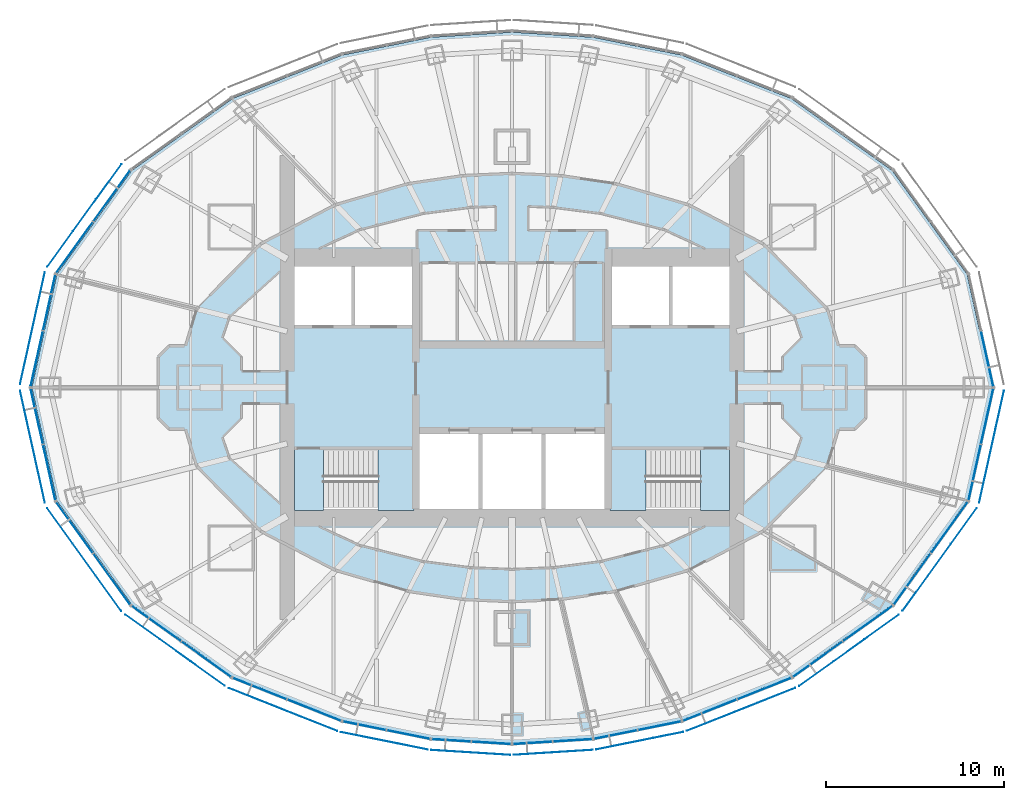
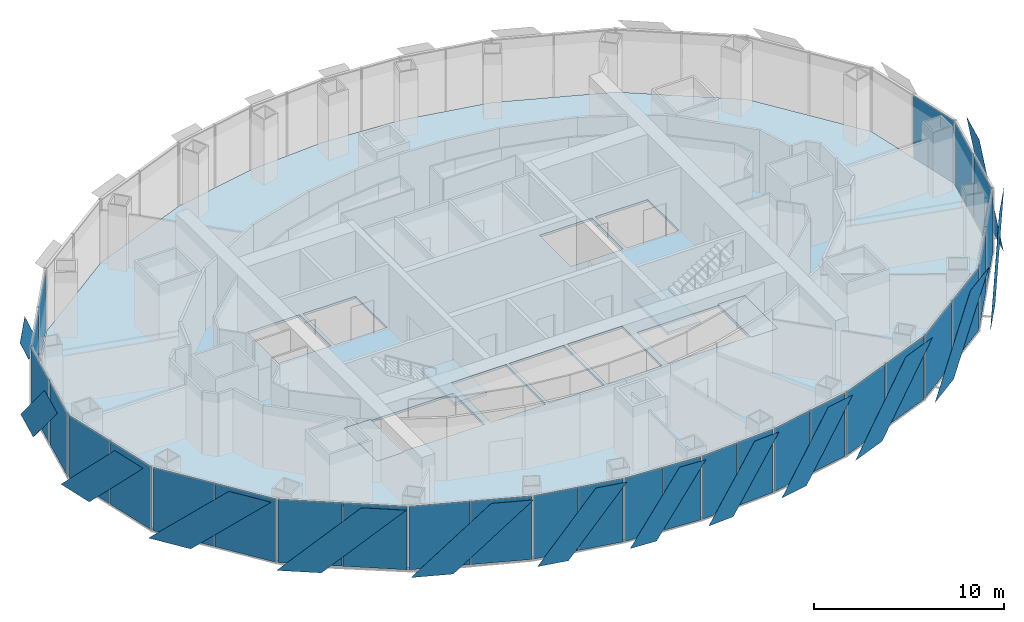
# One storey, part 10 of 17: 43 plates, 5 slabs, 17 elements without a shape of their own.
"""IFC4 building model written with IfcOpenShell, lengths in metres."""

from ifc_helpers import new_model, si_unit, direction, frame, origin, origin_2d, place, context, subcontext, project, spatial, polyline, rectangle, outline, extrude, material, layer, layer_set, type_object, element, aggregate, save


model = new_model("IFC4")

# Units and contexts
model_context = context("Model", 3, precision=1e-05, world=origin(), true_north=direction((0.0, 1.0)))
body_context = subcontext(model_context, "Body", "Model", "MODEL_VIEW")
ifc_project = project(units=[si_unit("LENGTHUNIT", "METRE"), si_unit("AREAUNIT", "SQUARE_METRE"), si_unit("VOLUMEUNIT", "CUBIC_METRE"), si_unit("PLANEANGLEUNIT", "RADIAN"), si_unit("MASSUNIT", "GRAM", prefix="KILO")], contexts=[model_context])

# Site, building, storey
site_placement = place(None, origin())
site = spatial("IfcSite", under=ifc_project, at=site_placement, CompositionType="ELEMENT")
building_placement = place(site_placement, origin())
building = spatial("IfcBuilding", under=site, at=building_placement, Name="Lantaw Convention Tower", CompositionType="ELEMENT")
storey_placement = place(building_placement, frame((0.0, 0.0, 215.800048828125)))
storey = spatial("IfcBuildingStorey", under=building, at=storey_placement, Name="L50", CompositionType="ELEMENT", Elevation=215.800048828125)

# Curtain wall, plate
ifc_material_1 = material(Name="Aluminium framed curtain wall", Category="aluminium")
curtain_wall_type = type_object("IfcCurtainWallType", Name="Office curtain wall high rise, pale aluminium", PredefinedType="USERDEFINED", material=ifc_material_1)
curtain_wall_1_placement = place(storey_placement, origin())
curtain_wall_1 = element("IfcCurtainWall", 1, at=curtain_wall_1_placement, inside=storey, type_object=curtain_wall_type, Name="Office curtain wall high rise, pale aluminium L50", ObjectType="UNITISED CURTAIN WALL", PredefinedType="USERDEFINED")
ifc_material_2 = material(Name="Clear insulating glass", Category="glass")
ifc_layer_1 = layer(ifc_material_2, 0.028076171875)
ifc_layer_set_1 = layer_set([ifc_layer_1], Name="CW-O2 panel 28")
plate_type_1 = type_object("IfcPlateType", Name="CW-O2 panel 28", PredefinedType="CURTAIN_PANEL", material=ifc_layer_set_1)
plate_1_placement = place(storey_placement, frame((26.643798828125, 1.61083984375, -0.0849609375), z_axis=(0.0, 0.0, 1.0), x_axis=(-0.215891333626, 0.976417396437, 0.0)))
plate_1 = element("IfcPlate", 2, at=plate_1_placement, type_object=plate_type_1, Name="CW-O2 panel 1.1", PredefinedType="CURTAIN_PANEL", context=body_context, shape_type="SweptSolid", body=[
    extrude(rectangle(XDim=3.169677734375, YDim=0.028076171875, at=origin_2d()), origin(), (0.0, 0.0, 1.0), 4.070068359375),
])
aggregate(curtain_wall_1, [plate_1])

# Curtain wall, plates
curtain_wall_2_placement = place(storey_placement, origin())
curtain_wall_2 = element("IfcCurtainWall", 3, at=curtain_wall_2_placement, inside=storey, type_object=curtain_wall_type, Name="Office curtain wall high rise, pale aluminium L50", ObjectType="UNITISED CURTAIN WALL", PredefinedType="USERDEFINED")
plate_2_placement = place(storey_placement, frame((-22.4404296875, 10.743896484375, -0.0849609375), z_axis=(0.0, 0.0, 1.0), x_axis=(-0.585157643865, -0.810919559405, 0.0)))
plate_2 = element("IfcPlate", 4, at=plate_2_placement, type_object=plate_type_1, Name="CW-O2 panel 1.1", PredefinedType="CURTAIN_PANEL", context=body_context, shape_type="SweptSolid", body=[
    extrude(rectangle(XDim=3.500732421875, YDim=0.028076171875, at=origin_2d()), origin(), (0.0, 0.0, 1.0), 4.070068359375),
])
plate_3_placement = place(storey_placement, frame((-24.527099609375, 7.852294921875, -0.0849609375), z_axis=(0.0, 0.0, 1.0), x_axis=(-0.585157643865, -0.810919559405, 0.0)))
plate_3 = element("IfcPlate", 5, at=plate_3_placement, type_object=plate_type_1, Name="CW-O2 panel 2.1", PredefinedType="CURTAIN_PANEL", context=body_context, shape_type="SweptSolid", body=[
    extrude(rectangle(XDim=3.500732421875, YDim=0.028076171875, at=origin_2d()), origin(), (0.0, 0.0, 1.0), 4.070068359375),
])
aggregate(curtain_wall_2, [plate_2, plate_3])

curtain_wall_3_placement = place(storey_placement, origin())
curtain_wall_3 = element("IfcCurtainWall", 6, at=curtain_wall_3_placement, inside=storey, type_object=curtain_wall_type, Name="Office curtain wall high rise, pale aluminium L50", ObjectType="UNITISED CURTAIN WALL", PredefinedType="USERDEFINED")
plate_4_placement = place(storey_placement, frame((-25.945556640625, 4.769287109375, -0.0849609375), z_axis=(0.0, 0.0, 1.0), x_axis=(-0.215891333626, -0.976417396437, 0.0)))
plate_4 = element("IfcPlate", 7, at=plate_4_placement, type_object=plate_type_1, Name="CW-O2 panel 1.1", PredefinedType="CURTAIN_PANEL", context=body_context, shape_type="SweptSolid", body=[
    extrude(rectangle(XDim=3.169677734375, YDim=0.028076171875, at=origin_2d()), origin(), (0.0, 0.0, 1.0), 4.070068359375),
])
plate_5_placement = place(storey_placement, frame((-26.643798828125, 1.61083984375, -0.0849609375), z_axis=(0.0, 0.0, 1.0), x_axis=(-0.215891333626, -0.976417396437, 0.0)))
plate_5 = element("IfcPlate", 8, at=plate_5_placement, type_object=plate_type_1, Name="CW-O2 panel 2.1", PredefinedType="CURTAIN_PANEL", context=body_context, shape_type="SweptSolid", body=[
    extrude(rectangle(XDim=3.169677734375, YDim=0.028076171875, at=origin_2d()), origin(), (0.0, 0.0, 1.0), 4.070068359375),
])
aggregate(curtain_wall_3, [plate_4, plate_5])

curtain_wall_4_placement = place(storey_placement, origin())
curtain_wall_4 = element("IfcCurtainWall", 9, at=curtain_wall_4_placement, inside=storey, type_object=curtain_wall_type, Name="Office curtain wall high rise, pale aluminium L50", ObjectType="UNITISED CURTAIN WALL", PredefinedType="USERDEFINED")
plate_6_placement = place(storey_placement, frame((-26.643798828125, -1.61083984375, -0.0849609375), z_axis=(0.0, 0.0, 1.0), x_axis=(0.215891333626, -0.976417396437, 0.0)))
plate_6 = element("IfcPlate", 10, at=plate_6_placement, type_object=plate_type_1, Name="CW-O2 panel 1.1", PredefinedType="CURTAIN_PANEL", context=body_context, shape_type="SweptSolid", body=[
    extrude(rectangle(XDim=3.169677734375, YDim=0.028076171875, at=origin_2d()), origin(), (0.0, 0.0, 1.0), 4.070068359375),
])
plate_7_placement = place(storey_placement, frame((-25.945556640625, -4.769287109375, -0.0849609375), z_axis=(0.0, 0.0, 1.0), x_axis=(0.215891333626, -0.976417396437, 0.0)))
plate_7 = element("IfcPlate", 11, at=plate_7_placement, type_object=plate_type_1, Name="CW-O2 panel 2.1", PredefinedType="CURTAIN_PANEL", context=body_context, shape_type="SweptSolid", body=[
    extrude(rectangle(XDim=3.169677734375, YDim=0.028076171875, at=origin_2d()), origin(), (0.0, 0.0, 1.0), 4.070068359375),
])
aggregate(curtain_wall_4, [plate_6, plate_7])

curtain_wall_5_placement = place(storey_placement, origin())
curtain_wall_5 = element("IfcCurtainWall", 12, at=curtain_wall_5_placement, inside=storey, type_object=curtain_wall_type, Name="Office curtain wall high rise, pale aluminium L50", ObjectType="UNITISED CURTAIN WALL", PredefinedType="USERDEFINED")
plate_8_placement = place(storey_placement, frame((-24.527099609375, -7.852294921875, -0.0849609375), z_axis=(0.0, 0.0, 1.0), x_axis=(0.585157643865, -0.810919559405, 0.0)))
plate_8 = element("IfcPlate", 13, at=plate_8_placement, type_object=plate_type_1, Name="CW-O2 panel 1.1", PredefinedType="CURTAIN_PANEL", context=body_context, shape_type="SweptSolid", body=[
    extrude(rectangle(XDim=3.500732421875, YDim=0.028076171875, at=origin_2d()), origin(), (0.0, 0.0, 1.0), 4.070068359375),
])
plate_9_placement = place(storey_placement, frame((-22.4404296875, -10.743896484375, -0.0849609375), z_axis=(0.0, 0.0, 1.0), x_axis=(0.585157643865, -0.810919559405, 0.0)))
plate_9 = element("IfcPlate", 14, at=plate_9_placement, type_object=plate_type_1, Name="CW-O2 panel 2.1", PredefinedType="CURTAIN_PANEL", context=body_context, shape_type="SweptSolid", body=[
    extrude(rectangle(XDim=3.500732421875, YDim=0.028076171875, at=origin_2d()), origin(), (0.0, 0.0, 1.0), 4.070068359375),
])
aggregate(curtain_wall_5, [plate_8, plate_9])

curtain_wall_6_placement = place(storey_placement, origin())
curtain_wall_6 = element("IfcCurtainWall", 15, at=curtain_wall_6_placement, inside=storey, type_object=curtain_wall_type, Name="Office curtain wall high rise, pale aluminium L50", ObjectType="UNITISED CURTAIN WALL", PredefinedType="USERDEFINED")
plate_10_placement = place(storey_placement, frame((-19.947509765625, -13.23828125, -0.0849609375), z_axis=(0.0, 0.0, 1.0), x_axis=(0.813672540482, -0.581323487281, 0.0)))
plate_10 = element("IfcPlate", 16, at=plate_10_placement, type_object=plate_type_1, Name="CW-O2 panel 1.1", PredefinedType="CURTAIN_PANEL", context=body_context, shape_type="SweptSolid", body=[
    extrude(rectangle(XDim=3.386474609375, YDim=0.028076171875, at=origin_2d()), origin(), (0.0, 0.0, 1.0), 4.070068359375),
])
plate_11_placement = place(storey_placement, frame((-17.13916015625, -15.24462890625, -0.0849609375), z_axis=(0.0, 0.0, 1.0), x_axis=(0.813672540482, -0.581323487281, 0.0)))
plate_11 = element("IfcPlate", 17, at=plate_11_placement, type_object=plate_type_1, Name="CW-O2 panel 2.1", PredefinedType="CURTAIN_PANEL", context=body_context, shape_type="SweptSolid", body=[
    extrude(rectangle(XDim=3.386474609375, YDim=0.028076171875, at=origin_2d()), origin(), (0.0, 0.0, 1.0), 4.070068359375),
])
aggregate(curtain_wall_6, [plate_10, plate_11])

curtain_wall_7_placement = place(storey_placement, origin())
curtain_wall_7 = element("IfcCurtainWall", 18, at=curtain_wall_7_placement, inside=storey, type_object=curtain_wall_type, Name="Office curtain wall high rise, pale aluminium L50", ObjectType="UNITISED CURTAIN WALL", PredefinedType="USERDEFINED")
plate_12_placement = place(storey_placement, frame((-14.14990234375, -16.8837890625, -0.0849609375), z_axis=(0.0, 0.0, 1.0), x_axis=(0.929761533743, -0.368162315252, 0.0)))
plate_12 = element("IfcPlate", 19, at=plate_12_placement, type_object=plate_type_1, Name="CW-O2 panel 1.1", PredefinedType="CURTAIN_PANEL", context=body_context, shape_type="SweptSolid", body=[
    extrude(rectangle(XDim=3.222900390625, YDim=0.028076171875, at=origin_2d()), origin(), (0.0, 0.0, 1.0), 4.070068359375),
])
plate_13_placement = place(storey_placement, frame((-11.0927734375, -18.094482421875, -0.0849609375), z_axis=(0.0, 0.0, 1.0), x_axis=(0.929761533743, -0.368162315252, 0.0)))
plate_13 = element("IfcPlate", 20, at=plate_13_placement, type_object=plate_type_1, Name="CW-O2 panel 2.1", PredefinedType="CURTAIN_PANEL", context=body_context, shape_type="SweptSolid", body=[
    extrude(rectangle(XDim=3.222900390625, YDim=0.028076171875, at=origin_2d()), origin(), (0.0, 0.0, 1.0), 4.070068359375),
])
aggregate(curtain_wall_7, [plate_12, plate_13])

curtain_wall_8_placement = place(storey_placement, origin())
curtain_wall_8 = element("IfcCurtainWall", 21, at=curtain_wall_8_placement, inside=storey, type_object=curtain_wall_type, Name="Office curtain wall high rise, pale aluminium L50", ObjectType="UNITISED CURTAIN WALL", PredefinedType="USERDEFINED")
plate_14_placement = place(storey_placement, frame((-8.2724609375, -18.96533203125, -0.0849609375), z_axis=(0.0, 0.0, 1.0), x_axis=(0.980366679695, -0.197183095987, 0.0)))
plate_14 = element("IfcPlate", 22, at=plate_14_placement, type_object=plate_type_1, Name="CW-O2 panel 1.1", PredefinedType="CURTAIN_PANEL", context=body_context, shape_type="SweptSolid", body=[
    extrude(rectangle(XDim=2.44384765625, YDim=0.028076171875, at=origin_2d()), origin(), (0.0, 0.0, 1.0), 4.070068359375),
])
plate_15_placement = place(storey_placement, frame((-5.81298828125, -19.4599609375, -0.0849609375), z_axis=(0.0, 0.0, 1.0), x_axis=(0.980366679695, -0.197183095987, 0.0)))
plate_15 = element("IfcPlate", 23, at=plate_15_placement, type_object=plate_type_1, Name="CW-O2 panel 2.1", PredefinedType="CURTAIN_PANEL", context=body_context, shape_type="SweptSolid", body=[
    extrude(rectangle(XDim=2.44384765625, YDim=0.028076171875, at=origin_2d()), origin(), (0.0, 0.0, 1.0), 4.070068359375),
])
aggregate(curtain_wall_8, [plate_14, plate_15])

curtain_wall_9_placement = place(storey_placement, origin())
curtain_wall_9 = element("IfcCurtainWall", 24, at=curtain_wall_9_placement, inside=storey, type_object=curtain_wall_type, Name="Office curtain wall high rise, pale aluminium L50", ObjectType="UNITISED CURTAIN WALL", PredefinedType="USERDEFINED")
plate_16_placement = place(storey_placement, frame((-3.397216796875, -19.786376953125, -0.0849609375), z_axis=(0.0, 0.0, 1.0), x_axis=(0.998028774865, -0.062757983884, 0.0)))
plate_16 = element("IfcPlate", 25, at=plate_16_placement, type_object=plate_type_1, Name="CW-O2 panel 1.1", PredefinedType="CURTAIN_PANEL", context=body_context, shape_type="SweptSolid", body=[
    extrude(rectangle(XDim=2.1826171875, YDim=0.028076171875, at=origin_2d()), origin(), (0.0, 0.0, 1.0), 4.070068359375),
])
plate_17_placement = place(storey_placement, frame((-1.154052734375, -19.927490234375, -0.0849609375), z_axis=(0.0, 0.0, 1.0), x_axis=(0.998028774865, -0.062757983884, 0.0)))
plate_17 = element("IfcPlate", 26, at=plate_17_placement, type_object=plate_type_1, Name="CW-O2 panel 2.1", PredefinedType="CURTAIN_PANEL", context=body_context, shape_type="SweptSolid", body=[
    extrude(rectangle(XDim=2.1826171875, YDim=0.028076171875, at=origin_2d()), origin(), (0.0, 0.0, 1.0), 4.070068359375),
])
aggregate(curtain_wall_9, [plate_16, plate_17])

curtain_wall_10_placement = place(storey_placement, origin())
curtain_wall_10 = element("IfcCurtainWall", 27, at=curtain_wall_10_placement, inside=storey, type_object=curtain_wall_type, Name="Office curtain wall high rise, pale aluminium L50", ObjectType="UNITISED CURTAIN WALL", PredefinedType="USERDEFINED")
plate_18_placement = place(storey_placement, frame((1.154052734375, -19.927490234375, -0.0849609375), z_axis=(0.0, 0.0, 1.0), x_axis=(0.998028774865, 0.062757983884, 0.0)))
plate_18 = element("IfcPlate", 28, at=plate_18_placement, type_object=plate_type_1, Name="CW-O2 panel 1.1", PredefinedType="CURTAIN_PANEL", context=body_context, shape_type="SweptSolid", body=[
    extrude(rectangle(XDim=2.1826171875, YDim=0.028076171875, at=origin_2d()), origin(), (0.0, 0.0, 1.0), 4.070068359375),
])
plate_19_placement = place(storey_placement, frame((3.397216796875, -19.786376953125, -0.0849609375), z_axis=(0.0, 0.0, 1.0), x_axis=(0.998028774865, 0.062757983884, 0.0)))
plate_19 = element("IfcPlate", 29, at=plate_19_placement, type_object=plate_type_1, Name="CW-O2 panel 2.1", PredefinedType="CURTAIN_PANEL", context=body_context, shape_type="SweptSolid", body=[
    extrude(rectangle(XDim=2.1826171875, YDim=0.028076171875, at=origin_2d()), origin(), (0.0, 0.0, 1.0), 4.070068359375),
])
aggregate(curtain_wall_10, [plate_18, plate_19])

curtain_wall_11_placement = place(storey_placement, origin())
curtain_wall_11 = element("IfcCurtainWall", 30, at=curtain_wall_11_placement, inside=storey, type_object=curtain_wall_type, Name="Office curtain wall high rise, pale aluminium L50", ObjectType="UNITISED CURTAIN WALL", PredefinedType="USERDEFINED")
plate_20_placement = place(storey_placement, frame((5.81298828125, -19.4599609375, -0.0849609375), z_axis=(0.0, 0.0, 1.0), x_axis=(0.980366679695, 0.197183095987, 0.0)))
plate_20 = element("IfcPlate", 31, at=plate_20_placement, type_object=plate_type_1, Name="CW-O2 panel 1.1", PredefinedType="CURTAIN_PANEL", context=body_context, shape_type="SweptSolid", body=[
    extrude(rectangle(XDim=2.44384765625, YDim=0.028076171875, at=origin_2d()), origin(), (0.0, 0.0, 1.0), 4.070068359375),
])
plate_21_placement = place(storey_placement, frame((8.2724609375, -18.96533203125, -0.0849609375), z_axis=(0.0, 0.0, 1.0), x_axis=(0.980366679695, 0.197183095987, 0.0)))
plate_21 = element("IfcPlate", 32, at=plate_21_placement, type_object=plate_type_1, Name="CW-O2 panel 2.1", PredefinedType="CURTAIN_PANEL", context=body_context, shape_type="SweptSolid", body=[
    extrude(rectangle(XDim=2.44384765625, YDim=0.028076171875, at=origin_2d()), origin(), (0.0, 0.0, 1.0), 4.070068359375),
])
aggregate(curtain_wall_11, [plate_20, plate_21])

curtain_wall_12_placement = place(storey_placement, origin())
curtain_wall_12 = element("IfcCurtainWall", 33, at=curtain_wall_12_placement, inside=storey, type_object=curtain_wall_type, Name="Office curtain wall high rise, pale aluminium L50", ObjectType="UNITISED CURTAIN WALL", PredefinedType="USERDEFINED")
plate_22_placement = place(storey_placement, frame((11.0927734375, -18.094482421875, -0.0849609375), z_axis=(0.0, 0.0, 1.0), x_axis=(0.929761533743, 0.368162315252, 0.0)))
plate_22 = element("IfcPlate", 34, at=plate_22_placement, type_object=plate_type_1, Name="CW-O2 panel 1.1", PredefinedType="CURTAIN_PANEL", context=body_context, shape_type="SweptSolid", body=[
    extrude(rectangle(XDim=3.222900390625, YDim=0.028076171875, at=origin_2d()), origin(), (0.0, 0.0, 1.0), 4.070068359375),
])
plate_23_placement = place(storey_placement, frame((14.14990234375, -16.8837890625, -0.0849609375), z_axis=(0.0, 0.0, 1.0), x_axis=(0.929761533743, 0.368162315252, 0.0)))
plate_23 = element("IfcPlate", 35, at=plate_23_placement, type_object=plate_type_1, Name="CW-O2 panel 2.1", PredefinedType="CURTAIN_PANEL", context=body_context, shape_type="SweptSolid", body=[
    extrude(rectangle(XDim=3.222900390625, YDim=0.028076171875, at=origin_2d()), origin(), (0.0, 0.0, 1.0), 4.070068359375),
])
aggregate(curtain_wall_12, [plate_22, plate_23])

curtain_wall_13_placement = place(storey_placement, origin())
curtain_wall_13 = element("IfcCurtainWall", 36, at=curtain_wall_13_placement, inside=storey, type_object=curtain_wall_type, Name="Office curtain wall high rise, pale aluminium L50", ObjectType="UNITISED CURTAIN WALL", PredefinedType="USERDEFINED")
plate_24_placement = place(storey_placement, frame((17.13916015625, -15.24462890625, -0.0849609375), z_axis=(0.0, 0.0, 1.0), x_axis=(0.813672540482, 0.581323487281, 0.0)))
plate_24 = element("IfcPlate", 37, at=plate_24_placement, type_object=plate_type_1, Name="CW-O2 panel 1.1", PredefinedType="CURTAIN_PANEL", context=body_context, shape_type="SweptSolid", body=[
    extrude(rectangle(XDim=3.386474609375, YDim=0.028076171875, at=origin_2d()), origin(), (0.0, 0.0, 1.0), 4.070068359375),
])
plate_25_placement = place(storey_placement, frame((19.947509765625, -13.23828125, -0.0849609375), z_axis=(0.0, 0.0, 1.0), x_axis=(0.813672540482, 0.581323487281, 0.0)))
plate_25 = element("IfcPlate", 38, at=plate_25_placement, type_object=plate_type_1, Name="CW-O2 panel 2.1", PredefinedType="CURTAIN_PANEL", context=body_context, shape_type="SweptSolid", body=[
    extrude(rectangle(XDim=3.386474609375, YDim=0.028076171875, at=origin_2d()), origin(), (0.0, 0.0, 1.0), 4.070068359375),
])
aggregate(curtain_wall_13, [plate_24, plate_25])

curtain_wall_14_placement = place(storey_placement, origin())
curtain_wall_14 = element("IfcCurtainWall", 39, at=curtain_wall_14_placement, inside=storey, type_object=curtain_wall_type, Name="Office curtain wall high rise, pale aluminium L50", ObjectType="UNITISED CURTAIN WALL", PredefinedType="USERDEFINED")
plate_26_placement = place(storey_placement, frame((22.4404296875, -10.743896484375, -0.0849609375), z_axis=(0.0, 0.0, 1.0), x_axis=(0.585157643865, 0.810919559405, 0.0)))
plate_26 = element("IfcPlate", 40, at=plate_26_placement, type_object=plate_type_1, Name="CW-O2 panel 1.1", PredefinedType="CURTAIN_PANEL", context=body_context, shape_type="SweptSolid", body=[
    extrude(rectangle(XDim=3.500732421875, YDim=0.028076171875, at=origin_2d()), origin(), (0.0, 0.0, 1.0), 4.070068359375),
])
plate_27_placement = place(storey_placement, frame((24.527099609375, -7.852294921875, -0.0849609375), z_axis=(0.0, 0.0, 1.0), x_axis=(0.585157643865, 0.810919559405, 0.0)))
plate_27 = element("IfcPlate", 41, at=plate_27_placement, type_object=plate_type_1, Name="CW-O2 panel 2.1", PredefinedType="CURTAIN_PANEL", context=body_context, shape_type="SweptSolid", body=[
    extrude(rectangle(XDim=3.500732421875, YDim=0.028076171875, at=origin_2d()), origin(), (0.0, 0.0, 1.0), 4.070068359375),
])
aggregate(curtain_wall_14, [plate_26, plate_27])

curtain_wall_15_placement = place(storey_placement, origin())
curtain_wall_15 = element("IfcCurtainWall", 42, at=curtain_wall_15_placement, inside=storey, type_object=curtain_wall_type, Name="Office curtain wall high rise, pale aluminium L50", ObjectType="UNITISED CURTAIN WALL", PredefinedType="USERDEFINED")
plate_28_placement = place(storey_placement, frame((25.945556640625, -4.769287109375, -0.0849609375), z_axis=(0.0, 0.0, 1.0), x_axis=(0.215891333626, 0.976417396437, 0.0)))
plate_28 = element("IfcPlate", 43, at=plate_28_placement, type_object=plate_type_1, Name="CW-O2 panel 1.1", PredefinedType="CURTAIN_PANEL", context=body_context, shape_type="SweptSolid", body=[
    extrude(rectangle(XDim=3.169677734375, YDim=0.028076171875, at=origin_2d()), origin(), (0.0, 0.0, 1.0), 4.070068359375),
])
plate_29_placement = place(storey_placement, frame((26.643798828125, -1.61083984375, -0.0849609375), z_axis=(0.0, 0.0, 1.0), x_axis=(0.215891333626, 0.976417396437, 0.0)))
plate_29 = element("IfcPlate", 44, at=plate_29_placement, type_object=plate_type_1, Name="CW-O2 panel 2.1", PredefinedType="CURTAIN_PANEL", context=body_context, shape_type="SweptSolid", body=[
    extrude(rectangle(XDim=3.169677734375, YDim=0.028076171875, at=origin_2d()), origin(), (0.0, 0.0, 1.0), 4.070068359375),
])
aggregate(curtain_wall_15, [plate_28, plate_29])

# Slab
ifc_material_3 = material(Name="Concrete C35/45", Category="concrete")
ifc_layer_2 = layer(ifc_material_3, 0.14990234375)
ifc_layer_set_2 = layer_set([ifc_layer_2], Name="Floor slab 150")
slab_type_1 = type_object("IfcSlabType", Name="Floor slab 150", PredefinedType="FLOOR", material=ifc_layer_set_2)
slab_1_placement = place(storey_placement, frame((0.0, 0.0, -0.150146484375)))
element("IfcSlab", 45, at=slab_1_placement, inside=storey, type_object=slab_type_1, Name="L50 floor slab", PredefinedType="FLOOR", context=body_context, shape_type="SweptSolid", body=[
    extrude(outline(polyline([(25.51953125, -6.348876953125), (26.923095703125, 0.0), (25.51953125, 6.348876953125), (21.324462890625, 12.162109375), (15.67236328125, 16.2001953125), (9.5126953125, 18.639404296875), (4.54150390625, 19.63916015625), (0.0, 19.9248046875), (-4.54150390625, 19.63916015625), (-9.5126953125, 18.639404296875), (-15.67236328125, 16.2001953125), (-21.324462890625, 12.162109375), (-25.51953125, 6.348876953125), (-26.923095703125, 0.0), (-25.51953125, -6.348876953125), (-21.324462890625, -12.162109375), (-15.67236328125, -16.2001953125), (-9.5126953125, -18.639404296875), (-4.54150390625, -19.63916015625), (0.0, -19.9248046875), (4.54150390625, -19.63916015625), (9.5126953125, -18.639404296875), (15.67236328125, -16.2001953125), (21.324462890625, -12.162109375), (25.51953125, -6.348876953125)]), holes=[polyline([(-5.60009765625, -3.5), (-12.199951171875, -3.5), (-12.199951171875, -6.800048828125), (-5.60009765625, -6.800048828125), (-5.60009765625, -3.5)]), polyline([(12.199951171875, -3.5), (5.60009765625, -3.5), (5.60009765625, -6.800048828125), (12.199951171875, -6.800048828125), (12.199951171875, -3.5)]), polyline([(-1.86669921875, -2.60009765625), (-5.199951171875, -2.60009765625), (-5.199951171875, -6.800048828125), (-1.86669921875, -6.800048828125), (-1.86669921875, -2.60009765625)]), polyline([(1.666748046875, -2.60009765625), (-1.666748046875, -2.60009765625), (-1.666748046875, -6.800048828125), (1.666748046875, -6.800048828125), (1.666748046875, -2.60009765625)]), polyline([(5.199951171875, -2.60009765625), (1.86669921875, -2.60009765625), (1.86669921875, -6.800048828125), (5.199951171875, -6.800048828125), (5.199951171875, -2.60009765625)]), polyline([(-9.0, 6.800048828125), (-12.199951171875, 6.800048828125), (-12.199951171875, 3.5), (-9.0, 3.5), (-9.0, 6.800048828125)]), polyline([(-5.60009765625, 6.800048828125), (-8.800048828125, 6.800048828125), (-8.800048828125, 3.5), (-5.60009765625, 3.5), (-5.60009765625, 6.800048828125)]), polyline([(8.800048828125, 3.5), (8.800048828125, 6.800048828125), (5.60009765625, 6.800048828125), (5.60009765625, 3.5), (8.800048828125, 3.5)]), polyline([(12.199951171875, 3.5), (12.199951171875, 6.800048828125), (9.0, 6.800048828125), (9.0, 3.5), (12.199951171875, 3.5)])]), origin(), (0.0, 0.0, 1.0), 0.150146484375),
])

# Plates
ifc_material_4 = material(Name="Perforated aluminium sheet, pale silver finish", Category="aluminium")
ifc_layer_3 = layer(ifc_material_4, 0.006103515625)
ifc_layer_set_3 = layer_set([ifc_layer_3], Name="Perforated aluminium solar SCREEN panel")
plate_type_2 = type_object("IfcPlateType", Name="Perforated aluminium solar SCREEN panel", PredefinedType="SHEET", material=ifc_layer_set_3)
plate_30_placement = place(storey_placement, frame((-21.898681640625, 12.530029296875, -0.175048828125), z_axis=(-0.810892289695, 0.585195432394, 2.0458414e-05), x_axis=(-0.585195432516, -0.810892289865, 0.0)))
element("IfcPlate", 46, at=plate_30_placement, inside=storey, type_object=plate_type_2, Name="Solar SCREEN panel", PredefinedType="SHEET", context=body_context, shape_type="SweptSolid", body=[
    extrude(outline(polyline([(0.0, 0.0), (2.446848840683286, -6.776263578034403e-21), (7.09661046667572, 4.340087891533265), (4.649761625992435, 4.340087891533265), (0.0, 0.0)])), origin(), (0.0, 0.0, -1.0), 0.006103515625),
])
plate_31_placement = place(storey_placement, frame((-26.19189453125, 6.462158203125, -0.175048828125), z_axis=(0.976429511424, -0.215836529031, 4.4219438e-05), x_axis=(-0.215836529242, -0.976429512379, 0.0)))
element("IfcPlate", 47, at=plate_31_placement, inside=storey, type_object=plate_type_2, Name="Solar SCREEN panel", PredefinedType="SHEET", context=body_context, shape_type="SweptSolid", body=[
    extrude(outline(polyline([(0.0, 0.0), (2.2215525295212517, 3.3881317890172014e-21), (6.4341686174090675, -4.340087894868215), (4.212616087887817, -4.340087894868215), (0.0, 0.0)])), origin(), (0.0, 0.0, -1.0), 0.006103515625),
])
plate_32_placement = place(storey_placement, frame((-27.580810546875, -0.1796875, -0.175048828125), z_axis=(-0.976429511424, -0.215836529031, 4.4219438e-05), x_axis=(0.215836529242, -0.976429512379, 0.0)))
element("IfcPlate", 48, at=plate_32_placement, inside=storey, type_object=plate_type_2, Name="Solar SCREEN panel", PredefinedType="SHEET", context=body_context, shape_type="SweptSolid", body=[
    extrude(outline(polyline([(0.0, 0.0), (2.2215525295212517, -3.3881317890172014e-21), (6.4341686174090675, 4.340087894868215), (4.212616087887817, 4.340087894868215), (0.0, 0.0)])), origin(), (0.0, 0.0, -1.0), 0.006103515625),
])
plate_33_placement = place(storey_placement, frame((-26.051513671875, -6.775390625, -0.175048828125), z_axis=(0.810892289695, 0.585195432394, 2.0458414e-05), x_axis=(0.585195432516, -0.810892289865, 0.0)))
element("IfcPlate", 49, at=plate_33_placement, inside=storey, type_object=plate_type_2, Name="Solar SCREEN panel", PredefinedType="SHEET", context=body_context, shape_type="SweptSolid", body=[
    extrude(outline(polyline([(0.0, 0.0), (2.446848840683286, 6.776263578034403e-21), (7.09661046667572, -4.340087891533265), (4.649761625992435, -4.340087891533265), (0.0, 0.0)])), origin(), (0.0, 0.0, -1.0), 0.006103515625),
])
plate_34_placement = place(storey_placement, frame((-21.689697265625, -12.73828125, -0.175048828125), z_axis=(-0.581330799771, -0.813667316006, 1.0072414e-05), x_axis=(0.813667316047, -0.5813307998, 3.02e-10)))
element("IfcPlate", 50, at=plate_34_placement, inside=storey, type_object=plate_type_2, Name="Solar SCREEN panel", PredefinedType="SHEET", context=body_context, shape_type="SweptSolid", body=[
    extrude(outline(polyline([(0.0, 0.0), (2.3691416428668504, 0.0), (6.867806096558412, 4.34008788877314), (4.498863102938644, 4.340087890202622), (0.0, 0.0)])), origin(), (0.0, 0.0, -1.0), 0.006103515625),
])
plate_35_placement = place(storey_placement, frame((-15.88525390625, -16.8486328125, -0.175048828125), z_axis=(0.368116612072, 0.929779629081, 3.5533269e-05), x_axis=(0.929779629668, -0.368116612304, -1.786e-09)))
element("IfcPlate", 51, at=plate_35_placement, inside=storey, type_object=plate_type_2, Name="Solar SCREEN panel", PredefinedType="SHEET", context=body_context, shape_type="SweptSolid", body=[
    extrude(outline(polyline([(0.0, 0.0), (2.2578720663572183, -3.3881317890172014e-21), (6.540904465438181, -4.340087905048178), (4.282942526861161, -4.340087896982072), (0.0, 0.0)])), origin(), (0.0, 0.0, -1.0), 0.006103515625),
])
plate_36_placement = place(storey_placement, frame((-9.6044921875, -19.315673828125, -0.175048828125), z_axis=(0.197162069853, 0.980370908428, 1.0904083e-05), x_axis=(0.980370908486, -0.197162069865, -7.55e-10)))
element("IfcPlate", 52, at=plate_36_placement, inside=storey, type_object=plate_type_2, Name="Solar SCREEN panel", PredefinedType="SHEET", context=body_context, shape_type="SweptSolid", body=[
    extrude(outline(polyline([(0.0, 0.0), (1.7279870169553606, 8.470329472543003e-22), (4.982578440602753, -4.340087894645749), (3.2545432883764285, -4.340087892035838), (0.0, 0.0)])), origin(), (0.0, 0.0, -1.0), 0.006103515625),
])
plate_37_placement = place(storey_placement, frame((-4.539306640625, -20.32177734375, -0.175048828125), z_axis=(0.062672387577, 0.998034151922, 5.858668e-05), x_axis=(0.998034153635, -0.062672387685, 0.0)))
element("IfcPlate", 53, at=plate_37_placement, inside=storey, type_object=plate_type_2, Name="Solar SCREEN panel", PredefinedType="SHEET", context=body_context, shape_type="SweptSolid", body=[
    extrude(outline(polyline([(0.0, 0.0), (1.5504111513762302, 8.470329472543003e-22), (4.460200019412434, -4.340087898073457), (2.9097888680362036, -4.340087898073457), (0.0, 0.0)])), origin(), (0.0, 0.0, -1.0), 0.006103515625),
])
plate_38_placement = place(storey_placement, frame((0.087890625, -20.6015625, -0.175048828125), z_axis=(0.062672387577, -0.998034151922, 5.858668e-05), x_axis=(0.998034153635, 0.062672387685, 0.0)))
element("IfcPlate", 54, at=plate_38_placement, inside=storey, type_object=plate_type_2, Name="Solar SCREEN panel", PredefinedType="SHEET", context=body_context, shape_type="SweptSolid", body=[
    extrude(outline(polyline([(0.0, 0.0), (1.5504111513762302, -8.470329472543003e-22), (4.460200019412434, 4.340087898073457), (2.9097888680362036, 4.340087898073457), (0.0, 0.0)])), origin(), (0.0, 0.0, -1.0), 0.006103515625),
])
plate_39_placement = place(storey_placement, frame((4.7197265625, -20.298095703125, -0.175048828125), z_axis=(0.197162069853, -0.980370908428, 1.0904083e-05), x_axis=(0.980370908486, 0.197162069865, 7.55e-10)))
element("IfcPlate", 55, at=plate_39_placement, inside=storey, type_object=plate_type_2, Name="Solar SCREEN panel", PredefinedType="SHEET", context=body_context, shape_type="SweptSolid", body=[
    extrude(outline(polyline([(0.0, 0.0), (1.7280351522263238, 4.235164736271502e-22), (4.982578447157737, 4.34008788712039), (3.2545914302023755, 4.340087889730228), (0.0, 0.0)])), origin(), (0.0, 0.0, -1.0), 0.006103515625),
])
plate_40_placement = place(storey_placement, frame((9.8037109375, -19.256591796875, -0.175048828125), z_axis=(0.368116612072, -0.929779629081, 3.5533269e-05), x_axis=(0.929779629668, 0.368116612304, 1.786e-09)))
element("IfcPlate", 56, at=plate_40_placement, inside=storey, type_object=plate_type_2, Name="Solar SCREEN panel", PredefinedType="SHEET", context=body_context, shape_type="SweptSolid", body=[
    extrude(outline(polyline([(0.0, 0.0), (2.257961938577019, 0.0), (6.540904480942253, 4.34008788168214), (4.283032414585035, 4.340087889747925), (0.0, 0.0)])), origin(), (0.0, 0.0, -1.0), 0.006103515625),
])
plate_41_placement = place(storey_placement, frame((16.1015625, -16.730712890625, -0.175048828125), z_axis=(-0.581330799771, 0.813667316006, 1.0072414e-05), x_axis=(0.813667316047, 0.5813307998, -3.02e-10)))
element("IfcPlate", 57, at=plate_41_placement, inside=storey, type_object=plate_type_2, Name="Solar SCREEN panel", PredefinedType="SHEET", context=body_context, shape_type="SweptSolid", body=[
    extrude(outline(polyline([(0.0, 0.0), (2.3689429936197683, -1.6940658945086007e-21), (6.867806093939489, -4.340087892917353), (4.498664451072639, -4.340087891487751), (0.0, 0.0)])), origin(), (0.0, 0.0, -1.0), 0.006103515625),
])
plate_42_placement = place(storey_placement, frame((21.898681640625, -12.530029296875, -0.175048828125), z_axis=(0.810892289695, -0.585195432394, 2.0458414e-05), x_axis=(0.585195432516, 0.810892289865, 0.0)))
element("IfcPlate", 58, at=plate_42_placement, inside=storey, type_object=plate_type_2, Name="Solar SCREEN panel", PredefinedType="SHEET", context=body_context, shape_type="SweptSolid", body=[
    extrude(outline(polyline([(0.0, 0.0), (2.446848840683286, -6.776263578034403e-21), (7.09661046667572, 4.340087891533265), (4.649761625992435, 4.340087891533265), (0.0, 0.0)])), origin(), (0.0, 0.0, -1.0), 0.006103515625),
])
plate_43_placement = place(storey_placement, frame((26.19189453125, -6.462158203125, -0.175048828125), z_axis=(-0.976429511424, 0.215836529031, 4.4219438e-05), x_axis=(0.215836529242, 0.976429512379, 0.0)))
element("IfcPlate", 59, at=plate_43_placement, inside=storey, type_object=plate_type_2, Name="Solar SCREEN panel", PredefinedType="SHEET", context=body_context, shape_type="SweptSolid", body=[
    extrude(outline(polyline([(0.0, 0.0), (2.2215525295212517, 3.3881317890172014e-21), (6.4341686174090675, -4.340087894868215), (4.212616087887817, -4.340087894868215), (0.0, 0.0)])), origin(), (0.0, 0.0, -1.0), 0.006103515625),
])

# Stair, slabs
stair_type = type_object("IfcStairType", Name="Exit stair 1500 riser 175 in 2 flights", PredefinedType="HALF_TURN_STAIR", material=ifc_material_3)
stair_1_placement = place(storey_placement, origin())
stair_1 = element("IfcStair", 60, at=stair_1_placement, inside=storey, type_object=stair_type, Name="Exit stair S1 L50", PredefinedType="HALF_TURN_STAIR")
ifc_layer_4 = layer(ifc_material_3, 0.199951171875)
ifc_layer_set_4 = layer_set([ifc_layer_4], Name="Stair landing 200")
slab_type_2 = type_object("IfcSlabType", Name="Stair landing 200", PredefinedType="LANDING", material=ifc_layer_set_4)
slab_2_placement = place(storey_placement, frame((0.0, 0.0, -0.199951171875)))
slab_2 = element("IfcSlab", 61, at=slab_2_placement, type_object=slab_type_2, Name="S1 landing 1", PredefinedType="LANDING", context=body_context, shape_type="SweptSolid", body=[
    extrude(outline(polyline([(-12.199951171875, -6.89990234375), (-10.580078125, -6.89990234375), (-10.580078125, -3.39990234375), (-12.199951171875, -3.39990234375), (-12.199951171875, -6.89990234375)])), origin(), (0.0, 0.0, 1.0), 0.199951171875),
])
slab_3_placement = place(storey_placement, frame((0.0, 0.0, 1.89990234375)))
slab_3 = element("IfcSlab", 62, at=slab_3_placement, type_object=slab_type_2, Name="S1 landing 2", PredefinedType="LANDING", context=body_context, shape_type="SweptSolid", body=[
    extrude(outline(polyline([(-7.5, -6.89990234375), (-5.5, -6.89990234375), (-5.5, -3.39990234375), (-7.5, -3.39990234375), (-7.5, -6.89990234375)])), origin(), (0.0, 0.0, 1.0), 0.199951171875),
])
aggregate(stair_1, [slab_2, slab_3])

stair_2_placement = place(storey_placement, origin())
stair_2 = element("IfcStair", 63, at=stair_2_placement, inside=storey, type_object=stair_type, Name="Exit stair S2 L50", PredefinedType="HALF_TURN_STAIR")
slab_4_placement = place(storey_placement, frame((0.0, 0.0, -0.199951171875)))
slab_4 = element("IfcSlab", 64, at=slab_4_placement, type_object=slab_type_2, Name="S2 landing 1", PredefinedType="LANDING", context=body_context, shape_type="SweptSolid", body=[
    extrude(outline(polyline([(10.580078125, -6.89990234375), (12.199951171875, -6.89990234375), (12.199951171875, -3.39990234375), (10.580078125, -3.39990234375), (10.580078125, -6.89990234375)])), origin(), (0.0, 0.0, 1.0), 0.199951171875),
])
slab_5_placement = place(storey_placement, frame((0.0, 0.0, 1.89990234375)))
slab_5 = element("IfcSlab", 65, at=slab_5_placement, type_object=slab_type_2, Name="S2 landing 2", PredefinedType="LANDING", context=body_context, shape_type="SweptSolid", body=[
    extrude(outline(polyline([(5.5, -6.89990234375), (7.5, -6.89990234375), (7.5, -3.39990234375), (5.5, -3.39990234375), (5.5, -6.89990234375)])), origin(), (0.0, 0.0, 1.0), 0.199951171875),
])
aggregate(stair_2, [slab_4, slab_5])

save(model, "model.ifc")
